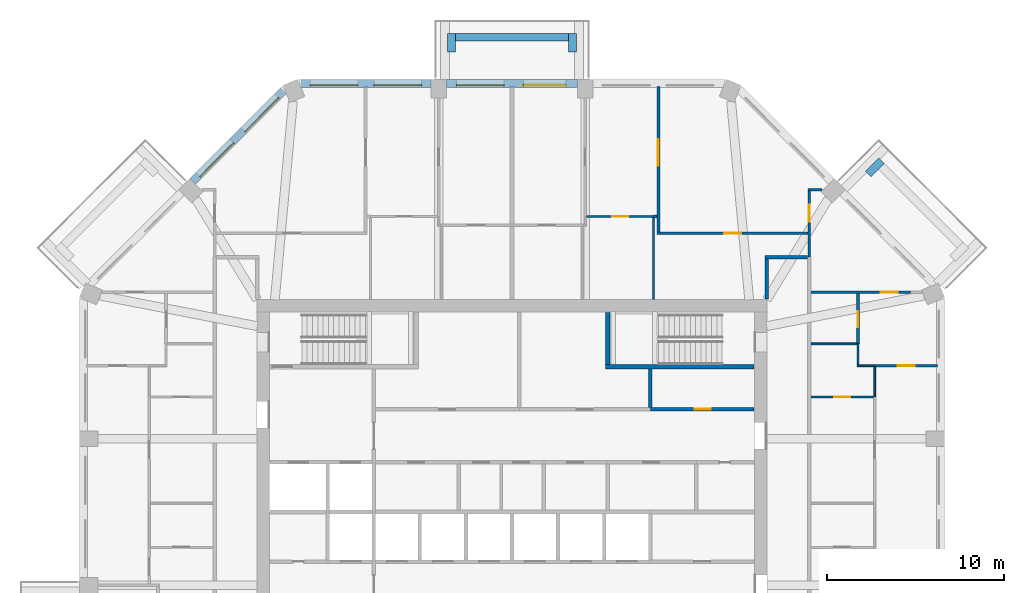
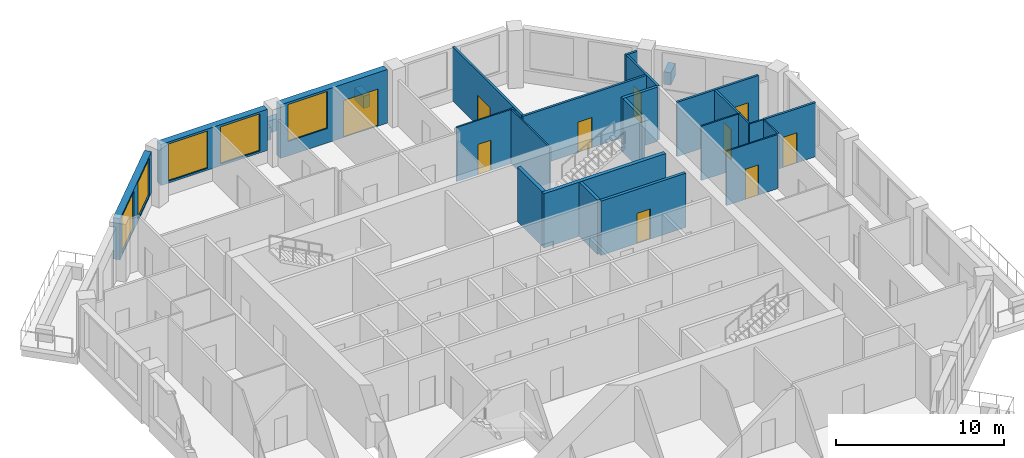
# One storey, part 8 of 10: 28 walls, 10 doors, 5 windows, 15 openings.
"""IFC4 building model written with IfcOpenShell, lengths in metres."""

from ifc_helpers import new_model, si_unit, direction, frame, frame_2d, origin, place, context, subcontext, project, spatial, rectangle, extrude, material, layer, layer_set, type_object, element, fill, save


model = new_model("IFC4")

# Units and contexts
model_context = context("Model", 3, precision=1e-05, world=origin(), true_north=direction((0.0, 1.0)))
body_context = subcontext(model_context, "Body", "Model", "MODEL_VIEW")
ifc_project = project(units=[si_unit("LENGTHUNIT", "METRE"), si_unit("AREAUNIT", "SQUARE_METRE"), si_unit("VOLUMEUNIT", "CUBIC_METRE"), si_unit("PLANEANGLEUNIT", "RADIAN"), si_unit("MASSUNIT", "GRAM", prefix="KILO")], contexts=[model_context])

# Site, building, storey
site_placement = place(None, origin())
site = spatial("IfcSite", under=ifc_project, at=site_placement, CompositionType="ELEMENT")
building_placement = place(site_placement, origin())
building = spatial("IfcBuilding", under=site, at=building_placement, Name="Msitu Wima Residences", CompositionType="ELEMENT")
storey_placement = place(building_placement, frame((0.0, 0.0, 191.699951171875)))
storey = spatial("IfcBuildingStorey", under=building, at=storey_placement, Name="L44", CompositionType="ELEMENT", Elevation=191.699951171875)

# Walls
ifc_material_1 = material(Name="Facing brick")
ifc_layer_1 = layer(ifc_material_1, 0.06494140625, Name="Facing brick")
ifc_material_2 = material(Name="Concrete C40/50", Category="concrete")
ifc_layer_2 = layer(ifc_material_2, 0.156005859375, Name="Concrete C40/50")
ifc_material_3 = material(Name="Waterproofing membrane")
ifc_layer_3 = layer(ifc_material_3, 0.00390625, Name="Waterproofing membrane")
ifc_material_4 = material(Name="Planting soil and planting")
ifc_layer_4 = layer(ifc_material_4, 0.22509765625, Name="Planting soil and planting")
ifc_layer_set_1 = layer_set([ifc_layer_1, ifc_layer_2, ifc_layer_3, ifc_layer_4], Name="Concrete C40/50")
wall_type_1 = type_object("IfcWallType", Name="Balcony planter PLANTER PL450", PredefinedType="USERDEFINED", material=ifc_layer_set_1)
wall_1_placement = place(storey_placement, frame((20.1328125, 19.107421875, 0.0), z_axis=(0.0, 0.0, 1.0), x_axis=(0.707106781187, 0.707106781187, 0.0)))
element("IfcWall", 1, at=wall_1_placement, inside=storey, type_object=wall_type_1, Name="Balcony planter NE0 L44", ObjectType="PLANTER", PredefinedType="USERDEFINED", context=body_context, shape_type="SweptSolid", body=[
    extrude(rectangle(XDim=1.050048828125, YDim=0.449951171875, at=frame_2d((0.52490234375, 0.0))), origin(), (0.0, 0.0, 1.0), 0.900146484375),
])
wall_2_placement = place(storey_placement, frame((3.187255859375, 26.824951171875, 0.0), z_axis=(0.0, 0.0, 1.0), x_axis=(-1.0, 0.0, 0.0)))
element("IfcWall", 2, at=wall_2_placement, inside=storey, type_object=wall_type_1, Name="Balcony planter N1 L44", ObjectType="PLANTER", PredefinedType="USERDEFINED", context=body_context, shape_type="SweptSolid", body=[
    extrude(rectangle(XDim=6.37451171875, YDim=0.449951171875, at=frame_2d((3.187255859375, 0.0))), origin(), (0.0, 0.0, 1.0), 0.900146484375),
])
for number, where, z_axis, x_axis, name in (
    (3, (3.412353515625, 26.0, 0.0), (0.0, 0.0, 1.0), (0.0, 1.0, 0.0), "Balcony planter N1 L44"),
    (4, (-3.412353515625, 26.0, 0.0), (0.0, 0.0, 1.0), (0.0, 1.0, 0.0), "Balcony planter N1 L44"),
):
    element("IfcWall", number, at=place(storey_placement, frame(where, z_axis=z_axis, x_axis=x_axis)), inside=storey, type_object=wall_type_1, Name=name, ObjectType="PLANTER", PredefinedType="USERDEFINED", context=body_context, shape_type="SweptSolid", body=[
        extrude(rectangle(XDim=1.050048828125, YDim=0.449951171875, at=frame_2d((0.52490234375, 0.0))), origin(), (0.0, 0.0, 1.0), 0.900146484375),
    ])

# Wall, openings, door, window
ifc_material_5 = material(Name="Brick (red buff mix)", Category="masonry")
ifc_layer_5 = layer(ifc_material_5, 0.449951171875)
ifc_layer_set_2 = layer_set([ifc_layer_5], Name="Brick (red buff mix)")
wall_type_2 = type_object("IfcWallType", Name="Brick infill wall BW450", PredefinedType="SOLIDWALL", material=ifc_layer_set_2)
wall_3_placement = place(storey_placement, frame((3.687255859375, 24.22509765625, 0.0), z_axis=(0.0, 0.0, 1.0), x_axis=(-1.0, 0.0, 0.0)))
wall_3 = element("IfcWall", 5, at=wall_3_placement, inside=storey, type_object=wall_type_2, Name="Brick infill wall L44 N1", PredefinedType="SOLIDWALL", context=body_context, shape_type="SweptSolid", body=[
    extrude(rectangle(XDim=7.37451171875, YDim=0.449951171875, at=frame_2d((3.687255859375, 0.0))), origin(), (0.0, 0.0, 1.0), 3.900146484375),
])
opening_1_placement = place(wall_3_placement, frame((0.6435546875, 0.0, 0.0)))
opening_1 = element("IfcOpeningElement", 6, at=opening_1_placement, cuts=wall_3, Name="Opening D43-45.002", PredefinedType="OPENING", context=body_context, shape_type="SweptSolid", body=[
    extrude(rectangle(XDim=2.39990234375, YDim=2.699951171875, at=frame_2d((1.199951171875, 1.35009765625))), frame((0.0, 0.23486328125, 0.0), z_axis=(0.0, -1.0, 0.0), x_axis=(1.0, 0.0, 0.0)), (0.0, 0.0, 1.0), 0.469970703125),
])
opening_2_placement = place(wall_3_placement, frame((4.13720703125, 0.0, 1.050048828125)))
opening_2 = element("IfcOpeningElement", 7, at=opening_2_placement, cuts=wall_3, Name="Opening W43-45.008", PredefinedType="OPENING", context=body_context, shape_type="SweptSolid", body=[
    extrude(rectangle(XDim=2.699951171875, YDim=2.699951171875, at=frame_2d((1.35009765625, 1.35009765625))), frame((0.0, 0.23486328125, 0.0), z_axis=(0.0, -1.0, 0.0), x_axis=(1.0, 0.0, 0.0)), (0.0, 0.0, 1.0), 0.469970703125),
])
ifc_material_6 = material(Name="Anodised aluminium, bronze finish, clear low-emissivity double glazing", Category="aluminium")
door_type_1 = type_object("IfcDoorType", Name="Balcony door D2400x2700", OperationType="SLIDING_TO_LEFT", PredefinedType="DOOR", material=ifc_material_6)
door_1_placement = place(opening_1_placement, origin())
door_1 = element("IfcDoor", 8, at=door_1_placement, inside=storey, type_object=door_type_1, Name="Balcony door L44 N1", OperationType="SINGLE_SWING_LEFT", OverallHeight=2.699951171875, OverallWidth=2.39990234375, PredefinedType="DOOR", context=body_context, shape_type="SweptSolid", body=[
    extrude(rectangle(XDim=2.39990234375, YDim=2.699951171875, at=frame_2d((1.199951171875, 1.35009765625))), frame((0.0, 0.1298828125, 0.0), z_axis=(0.0, -1.0, 0.0), x_axis=(1.0, 0.0, 0.0)), (0.0, 0.0, 1.0), 0.050048828125),
])
fill(opening_1, door_1)
window_type = type_object("IfcWindowType", Name="Window W2700x2700", PartitioningType="DOUBLE_PANEL_VERTICAL", PredefinedType="WINDOW", material=ifc_material_6)
window_1_placement = place(opening_2_placement, origin())
window_1 = element("IfcWindow", 9, at=window_1_placement, inside=storey, type_object=window_type, Name="Window L44 N1.2", OverallHeight=2.699951171875, OverallWidth=2.699951171875, PartitioningType="SINGLE_PANEL", PredefinedType="WINDOW", context=body_context, shape_type="SweptSolid", body=[
    extrude(rectangle(XDim=2.699951171875, YDim=2.699951171875, at=frame_2d((1.35009765625, 1.35009765625))), frame((0.0, 0.135009765625, 0.0), z_axis=(0.0, -1.0, 0.0), x_axis=(1.0, 0.0, 0.0)), (0.0, 0.0, 1.0), 0.06005859375),
])
fill(opening_2, window_1)

# Wall, openings, windows
wall_4_placement = place(storey_placement, frame((-4.587158203125, 24.22509765625, 0.900146484375), z_axis=(0.0, 0.0, 1.0), x_axis=(-1.0, 0.0, 0.0)))
wall_4 = element("IfcWall", 10, at=wall_4_placement, inside=storey, type_object=wall_type_2, Name="Brick infill wall L44 N2", PredefinedType="SOLIDWALL", context=body_context, shape_type="SweptSolid", body=[
    extrude(rectangle(XDim=7.337646484375, YDim=0.449951171875, at=frame_2d((3.6689453125, 0.0))), origin(), (0.0, 0.0, 1.0), 3.0),
])
opening_3_placement = place(wall_4_placement, frame((0.518798828125, 0.0, 0.14990234375)))
opening_3 = element("IfcOpeningElement", 11, at=opening_3_placement, cuts=wall_4, Name="Opening W43-45.009", PredefinedType="OPENING", context=body_context, shape_type="SweptSolid", body=[
    extrude(rectangle(XDim=2.699951171875, YDim=2.699951171875, at=frame_2d((1.35009765625, 1.35009765625))), frame((0.0, 0.23486328125, 0.0), z_axis=(0.0, -1.0, 0.0), x_axis=(1.0, 0.0, 0.0)), (0.0, 0.0, 1.0), 0.469970703125),
])
opening_4_placement = place(wall_4_placement, frame((4.11865234375, 0.0, 0.14990234375)))
opening_4 = element("IfcOpeningElement", 12, at=opening_4_placement, cuts=wall_4, Name="Opening W43-45.010", PredefinedType="OPENING", context=body_context, shape_type="SweptSolid", body=[
    extrude(rectangle(XDim=2.699951171875, YDim=2.699951171875, at=frame_2d((1.35009765625, 1.35009765625))), frame((0.0, 0.23486328125, 0.0), z_axis=(0.0, -1.0, 0.0), x_axis=(1.0, 0.0, 0.0)), (0.0, 0.0, 1.0), 0.469970703125),
])
window_2_placement = place(opening_3_placement, origin())
window_2 = element("IfcWindow", 13, at=window_2_placement, inside=storey, type_object=window_type, Name="Window L44 N2.1", OverallHeight=2.699951171875, OverallWidth=2.699951171875, PartitioningType="SINGLE_PANEL", PredefinedType="WINDOW", context=body_context, shape_type="SweptSolid", body=[
    extrude(rectangle(XDim=2.699951171875, YDim=2.699951171875, at=frame_2d((1.35009765625, 1.35009765625))), frame((0.0, 0.135009765625, 0.0), z_axis=(0.0, -1.0, 0.0), x_axis=(1.0, 0.0, 0.0)), (0.0, 0.0, 1.0), 0.06005859375),
])
fill(opening_3, window_2)
window_3_placement = place(opening_4_placement, origin())
window_3 = element("IfcWindow", 14, at=window_3_placement, inside=storey, type_object=window_type, Name="Window L44 N2.2", OverallHeight=2.699951171875, OverallWidth=2.699951171875, PartitioningType="SINGLE_PANEL", PredefinedType="WINDOW", context=body_context, shape_type="SweptSolid", body=[
    extrude(rectangle(XDim=2.699951171875, YDim=2.699951171875, at=frame_2d((1.35009765625, 1.35009765625))), frame((0.0, 0.135009765625, 0.0), z_axis=(0.0, -1.0, 0.0), x_axis=(1.0, 0.0, 0.0)), (0.0, 0.0, 1.0), 0.06005859375),
])
fill(opening_4, window_3)

wall_5_placement = place(storey_placement, frame((-12.915283203125, 23.814697265625, 0.900146484375), z_axis=(0.0, 0.0, 1.0), x_axis=(-0.707106781187, -0.707106781187, 0.0)))
wall_5 = element("IfcWall", 15, at=wall_5_placement, inside=storey, type_object=wall_type_2, Name="Brick infill wall L44 NW0", PredefinedType="SOLIDWALL", context=body_context, shape_type="SweptSolid", body=[
    extrude(rectangle(XDim=7.257080078125, YDim=0.449951171875, at=frame_2d((3.62841796875, 0.0))), origin(), (0.0, 0.0, 1.0), 3.0),
])
opening_5_placement = place(wall_5_placement, frame((0.478515625, 0.0, 0.14990234375)))
opening_5 = element("IfcOpeningElement", 16, at=opening_5_placement, cuts=wall_5, Name="Opening W43-45.014", PredefinedType="OPENING", context=body_context, shape_type="SweptSolid", body=[
    extrude(rectangle(XDim=2.699951171875, YDim=2.699951171875, at=frame_2d((1.35009765625, 1.35009765625))), frame((0.0, 0.23486328125, 0.0), z_axis=(0.0, -1.0, 0.0), x_axis=(1.0, 0.0, 0.0)), (0.0, 0.0, 1.0), 0.469970703125),
])
opening_6_placement = place(wall_5_placement, frame((4.07861328125, 0.0, 0.14990234375)))
opening_6 = element("IfcOpeningElement", 17, at=opening_6_placement, cuts=wall_5, Name="Opening W43-45.015", PredefinedType="OPENING", context=body_context, shape_type="SweptSolid", body=[
    extrude(rectangle(XDim=2.699951171875, YDim=2.699951171875, at=frame_2d((1.35009765625, 1.35009765625))), frame((0.0, 0.23486328125, 0.0), z_axis=(0.0, -1.0, 0.0), x_axis=(1.0, 0.0, 0.0)), (0.0, 0.0, 1.0), 0.469970703125),
])
window_4_placement = place(opening_5_placement, origin())
window_4 = element("IfcWindow", 18, at=window_4_placement, inside=storey, type_object=window_type, Name="Window L44 NW0.1", OverallHeight=2.699951171875, OverallWidth=2.699951171875, PartitioningType="SINGLE_PANEL", PredefinedType="WINDOW", context=body_context, shape_type="SweptSolid", body=[
    extrude(rectangle(XDim=2.699951171875, YDim=2.699951171875, at=frame_2d((1.35009765625, 1.35009765625))), frame((0.0, 0.135009765625, 0.0), z_axis=(0.0, -1.0, 0.0), x_axis=(1.0, 0.0, 0.0)), (0.0, 0.0, 1.0), 0.06005859375),
])
fill(opening_5, window_4)
window_5_placement = place(opening_6_placement, origin())
window_5 = element("IfcWindow", 19, at=window_5_placement, inside=storey, type_object=window_type, Name="Window L44 NW0.2", OverallHeight=2.699951171875, OverallWidth=2.699951171875, PartitioningType="SINGLE_PANEL", PredefinedType="WINDOW", context=body_context, shape_type="SweptSolid", body=[
    extrude(rectangle(XDim=2.699951171875, YDim=2.699951171875, at=frame_2d((1.35009765625, 1.35009765625))), frame((0.0, 0.135009765625, 0.0), z_axis=(0.0, -1.0, 0.0), x_axis=(1.0, 0.0, 0.0)), (0.0, 0.0, 1.0), 0.06005859375),
])
fill(opening_6, window_5)

# Wall, opening, door
ifc_material_7 = material(Name="Plaster")
ifc_layer_6 = layer(ifc_material_7, 0.011962890625, Name="Plaster")
ifc_material_8 = material(Name="Concrete blockwork", Category="masonry")
ifc_layer_7 = layer(ifc_material_8, 0.176025390625, Name="Concrete blockwork")
ifc_layer_8 = layer(ifc_material_7, 0.011962890625, Name="Plaster")
ifc_layer_set_3 = layer_set([ifc_layer_6, ifc_layer_7, ifc_layer_8], Name="Concrete blockwork")
wall_type_3 = type_object("IfcWallType", Name="Corridor wall FW200", PredefinedType="PARTITIONING", material=ifc_layer_set_3)
wall_6_placement = place(storey_placement, frame((7.820068359375, 5.800048828125, 0.0), z_axis=(0.0, 0.0, 1.0), x_axis=(1.0, 0.0, 0.0)))
wall_6 = element("IfcWall", 20, at=wall_6_placement, inside=storey, type_object=wall_type_3, Name="Corridor wall", PredefinedType="PARTITIONING", context=body_context, shape_type="SweptSolid", body=[
    extrude(rectangle(XDim=5.849853515625, YDim=0.199951171875, at=frame_2d((2.9248046875, 0.0))), origin(), (0.0, 0.0, 1.0), 3.949951171875),
])
opening_7_placement = place(wall_6_placement, frame((2.5, 0.0, 0.0)))
opening_7 = element("IfcOpeningElement", 21, at=opening_7_placement, cuts=wall_6, Name="Opening D43-45.057", PredefinedType="OPENING", context=body_context, shape_type="SweptSolid", body=[
    extrude(rectangle(XDim=0.89990234375, YDim=2.199951171875, at=frame_2d((0.449951171875, 1.10009765625))), frame((0.0, 0.10986328125, 0.0), z_axis=(0.0, -1.0, 0.0), x_axis=(1.0, 0.0, 0.0)), (0.0, 0.0, 1.0), 0.219970703125),
])
ifc_material_9 = material(Name="Timber flush door", Category="wood")
door_type_2 = type_object("IfcDoorType", Name="Service door D05 900x2200", OperationType="SINGLE_SWING_LEFT", PredefinedType="DOOR", material=ifc_material_9)
door_2_placement = place(opening_7_placement, origin())
door_2 = element("IfcDoor", 22, at=door_2_placement, inside=storey, type_object=door_type_2, Name="Service door", OperationType="SINGLE_SWING_LEFT", OverallHeight=2.199951171875, OverallWidth=0.89990234375, PredefinedType="DOOR", context=body_context, shape_type="SweptSolid", body=[
    extrude(rectangle(XDim=0.89990234375, YDim=2.199951171875, at=frame_2d((0.449951171875, 1.10009765625))), frame((0.0, 0.02490234375, 0.0), z_axis=(0.0, -1.0, 0.0), x_axis=(1.0, 0.0, 0.0)), (0.0, 0.0, 1.0), 0.050048828125),
])
fill(opening_7, door_2)

# Walls
wall_7_placement = place(storey_placement, frame((14.39990234375, 12.030029296875, 0.0), z_axis=(0.0, 0.0, 1.0), x_axis=(0.0, 1.0, 0.0)))
element("IfcWall", 23, at=wall_7_placement, inside=storey, type_object=wall_type_3, Name="Corridor wall", PredefinedType="PARTITIONING", context=body_context, shape_type="SweptSolid", body=[
    extrude(rectangle(XDim=2.27001953125, YDim=0.199951171875, at=frame_2d((1.135009765625, 0.0))), origin(), (0.0, 0.0, 1.0), 3.949951171875),
])
wall_8_placement = place(storey_placement, frame((14.300048828125, 14.39990234375, 0.0), z_axis=(0.0, 0.0, 1.0), x_axis=(1.0, 0.0, 0.0)))
element("IfcWall", 24, at=wall_8_placement, inside=storey, type_object=wall_type_3, Name="Corridor wall", PredefinedType="PARTITIONING", context=body_context, shape_type="SweptSolid", body=[
    extrude(rectangle(XDim=2.39990234375, YDim=0.199951171875, at=frame_2d((1.199951171875, 0.0))), origin(), (0.0, 0.0, 1.0), 3.949951171875),
])
ifc_layer_9 = layer(ifc_material_7, 0.011962890625, Name="Plaster")
ifc_layer_10 = layer(ifc_material_8, 0.1259765625, Name="Concrete blockwork")
ifc_layer_11 = layer(ifc_material_7, 0.011962890625, Name="Plaster")
ifc_layer_set_4 = layer_set([ifc_layer_9, ifc_layer_10, ifc_layer_11], Name="Concrete blockwork")
wall_type_4 = type_object("IfcWallType", Name="Partition PW150", PredefinedType="PARTITIONING", material=ifc_layer_set_4)
wall_9_placement = place(storey_placement, frame((8.0, 16.699951171875, 0.0), z_axis=(0.0, 0.0, 1.0), x_axis=(1.0, 0.0, 0.0)))
element("IfcWall", 25, at=wall_9_placement, inside=storey, type_object=wall_type_4, Name="Partition", PredefinedType="PARTITIONING", context=body_context, shape_type="SweptSolid", body=[
    extrude(rectangle(XDim=0.199462890625, YDim=0.14990234375, at=frame_2d((0.099609375, 0.0))), origin(), (0.0, 0.0, 1.0), 3.949951171875),
])

# Wall, opening, door
wall_10_placement = place(storey_placement, frame((8.2744140625, 15.824951171875, 0.0), z_axis=(0.0, 0.0, 1.0), x_axis=(0.0, 1.0, 0.0)))
wall_10 = element("IfcWall", 26, at=wall_10_placement, inside=storey, type_object=wall_type_4, Name="Partition", PredefinedType="PARTITIONING", context=body_context, shape_type="SweptSolid", body=[
    extrude(rectangle(XDim=8.22998046875, YDim=0.14990234375, at=frame_2d((4.114990234375, 0.0))), origin(), (0.0, 0.0, 1.0), 3.949951171875),
])
opening_8_placement = place(wall_10_placement, frame((3.75, 0.0, 0.0)))
opening_8 = element("IfcOpeningElement", 27, at=opening_8_placement, cuts=wall_10, Name="Opening D43-45.015", PredefinedType="OPENING", context=body_context, shape_type="SweptSolid", body=[
    extrude(rectangle(XDim=1.5, YDim=2.199951171875, at=frame_2d((0.75, 1.10009765625))), frame((0.0, 0.0849609375, 0.0), z_axis=(0.0, -1.0, 0.0), x_axis=(1.0, 0.0, 0.0)), (0.0, 0.0, 1.0), 0.169921875),
])
ifc_material_10 = material(Name="Timber double door", Category="wood")
door_type_3 = type_object("IfcDoorType", Name="Double door D04 1500x2200", OperationType="DOUBLE_DOOR_SINGLE_SWING", PredefinedType="DOOR", material=ifc_material_10)
door_3_placement = place(opening_8_placement, origin())
door_3 = element("IfcDoor", 28, at=door_3_placement, inside=storey, type_object=door_type_3, Name="Double door", OperationType="DOUBLE_DOOR_SINGLE_SWING", OverallHeight=2.199951171875, OverallWidth=1.5, PredefinedType="DOOR", context=body_context, shape_type="SweptSolid", body=[
    extrude(rectangle(XDim=1.5, YDim=2.199951171875, at=frame_2d((0.75, 1.10009765625))), frame((0.0, 0.02490234375, 0.0), z_axis=(0.0, -1.0, 0.0), x_axis=(1.0, 0.0, 0.0)), (0.0, 0.0, 1.0), 0.050048828125),
])
fill(opening_8, door_3)

wall_11_placement = place(storey_placement, frame((8.199462890625, 15.75, 0.0), z_axis=(0.0, 0.0, 1.0), x_axis=(1.0, 0.0, 0.0)))
wall_11 = element("IfcWall", 29, at=wall_11_placement, inside=storey, type_object=wall_type_4, Name="Partition", PredefinedType="PARTITIONING", context=body_context, shape_type="SweptSolid", body=[
    extrude(rectangle(XDim=8.525634765625, YDim=0.14990234375, at=frame_2d((4.2626953125, 0.0))), origin(), (0.0, 0.0, 1.0), 3.949951171875),
])
opening_9_placement = place(wall_11_placement, frame((3.800048828125, 0.0, 0.0)))
opening_9 = element("IfcOpeningElement", 30, at=opening_9_placement, cuts=wall_11, Name="Opening D43-45.014", PredefinedType="OPENING", context=body_context, shape_type="SweptSolid", body=[
    extrude(rectangle(XDim=0.949951171875, YDim=2.199951171875, at=frame_2d((0.47509765625, 1.10009765625))), frame((0.0, 0.0849609375, 0.0), z_axis=(0.0, -1.0, 0.0), x_axis=(1.0, 0.0, 0.0)), (0.0, 0.0, 1.0), 0.169921875),
])
door_type_4 = type_object("IfcDoorType", Name="Room door D12 950x2200", OperationType="SINGLE_SWING_LEFT", PredefinedType="DOOR", material=ifc_material_9)
door_4_placement = place(opening_9_placement, origin())
door_4 = element("IfcDoor", 31, at=door_4_placement, inside=storey, type_object=door_type_4, Name="Room door", OperationType="SINGLE_SWING_RIGHT", OverallHeight=2.199951171875, OverallWidth=0.949951171875, PredefinedType="DOOR", context=body_context, shape_type="SweptSolid", body=[
    extrude(rectangle(XDim=0.949951171875, YDim=2.199951171875, at=frame_2d((0.47509765625, 1.10009765625))), frame((0.0, 0.02490234375, 0.0), z_axis=(0.0, -1.0, 0.0), x_axis=(1.0, 0.0, 0.0)), (0.0, 0.0, 1.0), 0.050048828125),
])
fill(opening_9, door_4)

wall_12_placement = place(storey_placement, frame((16.89990234375, 12.409912109375, 0.0), z_axis=(0.0, 0.0, 1.0), x_axis=(1.0, 0.0, 0.0)))
wall_12 = element("IfcWall", 32, at=wall_12_placement, inside=storey, type_object=wall_type_4, Name="Partition", PredefinedType="PARTITIONING", context=body_context, shape_type="SweptSolid", body=[
    extrude(rectangle(XDim=5.62939453125, YDim=0.14990234375, at=frame_2d((2.814697265625, 0.0))), origin(), (0.0, 0.0, 1.0), 3.949951171875),
])
opening_10_placement = place(wall_12_placement, frame((3.949951171875, 0.0, 0.0)))
opening_10 = element("IfcOpeningElement", 33, at=opening_10_placement, cuts=wall_12, Name="Opening D43-45.025", PredefinedType="OPENING", context=body_context, shape_type="SweptSolid", body=[
    extrude(rectangle(XDim=0.949951171875, YDim=2.199951171875, at=frame_2d((0.47509765625, 1.10009765625))), frame((0.0, 0.0849609375, 0.0), z_axis=(0.0, -1.0, 0.0), x_axis=(1.0, 0.0, 0.0)), (0.0, 0.0, 1.0), 0.169921875),
])
door_5_placement = place(opening_10_placement, origin())
door_5 = element("IfcDoor", 34, at=door_5_placement, inside=storey, type_object=door_type_4, Name="Room door", OperationType="SINGLE_SWING_RIGHT", OverallHeight=2.199951171875, OverallWidth=0.949951171875, PredefinedType="DOOR", context=body_context, shape_type="SweptSolid", body=[
    extrude(rectangle(XDim=0.949951171875, YDim=2.199951171875, at=frame_2d((0.47509765625, 1.10009765625))), frame((0.0, 0.02490234375, 0.0), z_axis=(0.0, -1.0, 0.0), x_axis=(1.0, 0.0, 0.0)), (0.0, 0.0, 1.0), 0.050048828125),
])
fill(opening_10, door_5)

wall_13_placement = place(storey_placement, frame((16.800048828125, 14.39990234375, 0.0), z_axis=(0.0, 0.0, 1.0), x_axis=(0.0, 1.0, 0.0)))
wall_13 = element("IfcWall", 35, at=wall_13_placement, inside=storey, type_object=wall_type_4, Name="Partition", PredefinedType="PARTITIONING", context=body_context, shape_type="SweptSolid", body=[
    extrude(rectangle(XDim=3.73095703125, YDim=0.14990234375, at=frame_2d((1.865478515625, 0.0))), origin(), (0.0, 0.0, 1.0), 3.949951171875),
])
opening_11_placement = place(wall_13_placement, frame((2.0, 0.0, 0.0)))
opening_11 = element("IfcOpeningElement", 36, at=opening_11_placement, cuts=wall_13, Name="Opening D43-45.028", PredefinedType="OPENING", context=body_context, shape_type="SweptSolid", body=[
    extrude(rectangle(XDim=0.949951171875, YDim=2.199951171875, at=frame_2d((0.47509765625, 1.10009765625))), frame((0.0, 0.0849609375, 0.0), z_axis=(0.0, -1.0, 0.0), x_axis=(1.0, 0.0, 0.0)), (0.0, 0.0, 1.0), 0.169921875),
])
door_6_placement = place(opening_11_placement, origin())
door_6 = element("IfcDoor", 37, at=door_6_placement, inside=storey, type_object=door_type_4, Name="Room door", OperationType="SINGLE_SWING_LEFT", OverallHeight=2.199951171875, OverallWidth=0.949951171875, PredefinedType="DOOR", context=body_context, shape_type="SweptSolid", body=[
    extrude(rectangle(XDim=0.949951171875, YDim=2.199951171875, at=frame_2d((0.47509765625, 1.10009765625))), frame((0.0, 0.02490234375, 0.0), z_axis=(0.0, -1.0, 0.0), x_axis=(1.0, 0.0, 0.0)), (0.0, 0.0, 1.0), 0.050048828125),
])
fill(opening_11, door_6)

# Wall
wall_14_placement = place(storey_placement, frame((16.72509765625, 18.205810546875, 0.0), z_axis=(0.0, 0.0, 1.0), x_axis=(1.0, 0.0, 0.0)))
element("IfcWall", 38, at=wall_14_placement, inside=storey, type_object=wall_type_4, Name="Partition", PredefinedType="PARTITIONING", context=body_context, shape_type="SweptSolid", body=[
    extrude(rectangle(XDim=0.784423828125, YDim=0.14990234375, at=frame_2d((0.39208984375, 0.0))), origin(), (0.0, 0.0, 1.0), 3.949951171875),
])

# Wall, opening, door
wall_15_placement = place(storey_placement, frame((19.550048828125, 9.5, 0.0), z_axis=(0.0, 0.0, 1.0), x_axis=(0.0, 1.0, 0.0)))
wall_15 = element("IfcWall", 39, at=wall_15_placement, inside=storey, type_object=wall_type_4, Name="Partition", PredefinedType="PARTITIONING", context=body_context, shape_type="SweptSolid", body=[
    extrude(rectangle(XDim=2.8349609375, YDim=0.14990234375, at=frame_2d((1.41748046875, 0.0))), origin(), (0.0, 0.0, 1.0), 3.949951171875),
])
opening_12_placement = place(wall_15_placement, frame((0.949951171875, 0.0, 0.0)))
opening_12 = element("IfcOpeningElement", 40, at=opening_12_placement, cuts=wall_15, Name="Opening D43-45.012", PredefinedType="OPENING", context=body_context, shape_type="SweptSolid", body=[
    extrude(rectangle(XDim=0.89990234375, YDim=2.199951171875, at=frame_2d((0.449951171875, 1.10009765625))), frame((0.0, 0.0849609375, 0.0), z_axis=(0.0, -1.0, 0.0), x_axis=(1.0, 0.0, 0.0)), (0.0, 0.0, 1.0), 0.169921875),
])
door_7_placement = place(opening_12_placement, origin())
door_7 = element("IfcDoor", 41, at=door_7_placement, inside=storey, type_object=door_type_2, Name="Service door", OperationType="SINGLE_SWING_LEFT", OverallHeight=2.199951171875, OverallWidth=0.89990234375, PredefinedType="DOOR", context=body_context, shape_type="SweptSolid", body=[
    extrude(rectangle(XDim=0.89990234375, YDim=2.199951171875, at=frame_2d((0.449951171875, 1.10009765625))), frame((0.0, 0.02490234375, 0.0), z_axis=(0.0, -1.0, 0.0), x_axis=(1.0, 0.0, 0.0)), (0.0, 0.0, 1.0), 0.050048828125),
])
fill(opening_12, door_7)

wall_16_placement = place(storey_placement, frame((20.5, 8.27001953125, 0.0), z_axis=(0.0, 0.0, 1.0), x_axis=(1.0, 0.0, 0.0)))
wall_16 = element("IfcWall", 42, at=wall_16_placement, inside=storey, type_object=wall_type_4, Name="Partition", PredefinedType="PARTITIONING", context=body_context, shape_type="SweptSolid", body=[
    extrude(rectangle(XDim=3.554931640625, YDim=0.14990234375, at=frame_2d((1.77734375, 0.0))), origin(), (0.0, 0.0, 1.0), 3.949951171875),
])
opening_13_placement = place(wall_16_placement, frame((1.300048828125, 0.0, 0.0)))
opening_13 = element("IfcOpeningElement", 43, at=opening_13_placement, cuts=wall_16, Name="Opening D43-45.024", PredefinedType="OPENING", context=body_context, shape_type="SweptSolid", body=[
    extrude(rectangle(XDim=0.949951171875, YDim=2.199951171875, at=frame_2d((0.47509765625, 1.10009765625))), frame((0.0, 0.0849609375, 0.0), z_axis=(0.0, -1.0, 0.0), x_axis=(1.0, 0.0, 0.0)), (0.0, 0.0, 1.0), 0.169921875),
])
door_8_placement = place(opening_13_placement, origin())
door_8 = element("IfcDoor", 44, at=door_8_placement, inside=storey, type_object=door_type_4, Name="Room door", OperationType="SINGLE_SWING_RIGHT", OverallHeight=2.199951171875, OverallWidth=0.949951171875, PredefinedType="DOOR", context=body_context, shape_type="SweptSolid", body=[
    extrude(rectangle(XDim=0.949951171875, YDim=2.199951171875, at=frame_2d((0.47509765625, 1.10009765625))), frame((0.0, 0.02490234375, 0.0), z_axis=(0.0, -1.0, 0.0), x_axis=(1.0, 0.0, 0.0)), (0.0, 0.0, 1.0), 0.050048828125),
])
fill(opening_13, door_8)

# Walls
ifc_layer_12 = layer(ifc_material_7, 0.011962890625, Name="Plaster")
ifc_material_11 = material(Name="Reinforced concrete blockwork", Category="masonry")
ifc_layer_13 = layer(ifc_material_11, 0.176025390625, Name="Reinforced concrete blockwork")
ifc_layer_14 = layer(ifc_material_7, 0.011962890625, Name="Plaster")
ifc_layer_set_5 = layer_set([ifc_layer_12, ifc_layer_13, ifc_layer_14], Name="Reinforced concrete blockwork")
wall_type_5 = type_object("IfcWallType", Name="Plant and riser wall PL200", PredefinedType="PARTITIONING", material=ifc_layer_set_5)
wall_17_placement = place(storey_placement, frame((7.800048828125, 5.89990234375, 0.0), z_axis=(0.0, 0.0, 1.0), x_axis=(0.0, 1.0, 0.0)))
element("IfcWall", 45, at=wall_17_placement, inside=storey, type_object=wall_type_5, Name="Plant and riser wall", PredefinedType="PARTITIONING", context=body_context, shape_type="SweptSolid", body=[
    extrude(rectangle(XDim=2.175048828125, YDim=0.199951171875, at=frame_2d((1.08740234375, 0.0))), origin(), (0.0, 0.0, 1.0), 3.949951171875),
])
ifc_material_12 = material(Name="Concrete C50/60", Category="concrete")
ifc_layer_15 = layer(ifc_material_12, 0.25)
ifc_layer_set_6 = layer_set([ifc_layer_15], Name="Concrete C50/60")
wall_type_6 = type_object("IfcWallType", Name="Stair enclosure wall SW250", PredefinedType="SHEAR", material=ifc_layer_set_6)
wall_18_placement = place(storey_placement, frame((5.39990234375, 8.324951171875, 0.0), z_axis=(0.0, 0.0, 1.0), x_axis=(0.0, 1.0, 0.0)))
element("IfcWall", 46, at=wall_18_placement, inside=storey, type_object=wall_type_6, Name="Stair enclosure wall", PredefinedType="SHEAR", context=body_context, shape_type="SweptSolid", body=[
    extrude(rectangle(XDim=2.945068359375, YDim=0.25, at=frame_2d((1.47265625, 0.0))), origin(), (0.0, 0.0, 1.0), 3.949951171875),
])
wall_19_placement = place(storey_placement, frame((5.27490234375, 8.199951171875, 0.0), z_axis=(0.0, 0.0, 1.0), x_axis=(1.0, 0.0, 0.0)))
element("IfcWall", 47, at=wall_19_placement, inside=storey, type_object=wall_type_6, Name="Stair enclosure wall", PredefinedType="SHEAR", context=body_context, shape_type="SweptSolid", body=[
    extrude(rectangle(XDim=8.39501953125, YDim=0.25, at=frame_2d((4.197509765625, 0.0))), origin(), (0.0, 0.0, 1.0), 3.949951171875),
])

# Wall, opening, door
ifc_material_13 = material(Name="Ceramic tiles")
ifc_layer_16 = layer(ifc_material_13, 0.008056640625, Name="Ceramic tiles")
ifc_material_14 = material(Name="Moisture-resistant board")
ifc_layer_17 = layer(ifc_material_14, 0.012451171875, Name="Moisture-resistant board")
ifc_material_15 = material(Name="Light-gauge stud framing with mineral wool")
ifc_layer_18 = layer(ifc_material_15, 0.06689453125, Name="Light-gauge stud framing with mineral wool")
ifc_layer_19 = layer(ifc_material_14, 0.012451171875, Name="Moisture-resistant board")
ifc_layer_set_7 = layer_set([ifc_layer_16, ifc_layer_17, ifc_layer_18, ifc_layer_19], Name="Light-gauge stud framing with mineral wool")
wall_type_7 = type_object("IfcWallType", Name="Wet wall PW100", PredefinedType="PARTITIONING", material=ifc_layer_set_7)
wall_20_placement = place(storey_placement, frame((4.212158203125, 16.699951171875, 0.0), z_axis=(0.0, 0.0, 1.0), x_axis=(1.0, 0.0, 0.0)))
wall_20 = element("IfcWall", 48, at=wall_20_placement, inside=storey, type_object=wall_type_7, Name="Wet wall", PredefinedType="PARTITIONING", context=body_context, shape_type="SweptSolid", body=[
    extrude(rectangle(XDim=3.787841796875, YDim=0.10009765625, at=frame_2d((1.89404296875, 0.0))), origin(), (0.0, 0.0, 1.0), 3.949951171875),
])
opening_14_placement = place(wall_20_placement, frame((1.449951171875, 0.0, 0.0)))
opening_14 = element("IfcOpeningElement", 49, at=opening_14_placement, cuts=wall_20, Name="Opening D43-45.018", PredefinedType="OPENING", context=body_context, shape_type="SweptSolid", body=[
    extrude(rectangle(XDim=0.89990234375, YDim=2.199951171875, at=frame_2d((0.449951171875, 1.10009765625))), frame((0.0, 0.06005859375, 0.0), z_axis=(0.0, -1.0, 0.0), x_axis=(1.0, 0.0, 0.0)), (0.0, 0.0, 1.0), 0.1201171875),
])
ifc_material_16 = material(Name="Timber flush door, moisture resistant", Category="wood")
door_type_5 = type_object("IfcDoorType", Name="Bathroom door D03 900x2200", OperationType="SINGLE_SWING_LEFT", PredefinedType="DOOR", material=ifc_material_16)
door_9_placement = place(opening_14_placement, origin())
door_9 = element("IfcDoor", 50, at=door_9_placement, inside=storey, type_object=door_type_5, Name="Bathroom door", OperationType="SINGLE_SWING_LEFT", OverallHeight=2.199951171875, OverallWidth=0.89990234375, PredefinedType="DOOR", context=body_context, shape_type="SweptSolid", body=[
    extrude(rectangle(XDim=0.89990234375, YDim=2.199951171875, at=frame_2d((0.449951171875, 1.10009765625))), frame((0.0, 0.02490234375, 0.0), z_axis=(0.0, -1.0, 0.0), x_axis=(1.0, 0.0, 0.0)), (0.0, 0.0, 1.0), 0.050048828125),
])
fill(opening_14, door_9)

# Wall
wall_21_placement = place(storey_placement, frame((8.0, 12.030029296875, 0.0), z_axis=(0.0, 0.0, 1.0), x_axis=(0.0, 1.0, 0.0)))
element("IfcWall", 51, at=wall_21_placement, inside=storey, type_object=wall_type_7, Name="Wet wall", PredefinedType="PARTITIONING", context=body_context, shape_type="SweptSolid", body=[
    extrude(rectangle(XDim=4.594970703125, YDim=0.10009765625, at=frame_2d((2.29736328125, 0.0))), origin(), (0.0, 0.0, 1.0), 3.949951171875),
])

# Wall, opening, door
wall_22_placement = place(storey_placement, frame((16.89990234375, 6.5, 0.0), z_axis=(0.0, 0.0, 1.0), x_axis=(1.0, 0.0, 0.0)))
wall_22 = element("IfcWall", 52, at=wall_22_placement, inside=storey, type_object=wall_type_7, Name="Wet wall", PredefinedType="PARTITIONING", context=body_context, shape_type="SweptSolid", body=[
    extrude(rectangle(XDim=3.525146484375, YDim=0.10009765625, at=frame_2d((1.7626953125, 0.0))), origin(), (0.0, 0.0, 1.0), 3.949951171875),
])
opening_15_placement = place(wall_22_placement, frame((1.300048828125, 0.0, 0.0)))
opening_15 = element("IfcOpeningElement", 53, at=opening_15_placement, cuts=wall_22, Name="Opening D43-45.011", PredefinedType="OPENING", context=body_context, shape_type="SweptSolid", body=[
    extrude(rectangle(XDim=0.89990234375, YDim=2.199951171875, at=frame_2d((0.449951171875, 1.10009765625))), frame((0.0, 0.06005859375, 0.0), z_axis=(0.0, -1.0, 0.0), x_axis=(1.0, 0.0, 0.0)), (0.0, 0.0, 1.0), 0.1201171875),
])
door_10_placement = place(opening_15_placement, origin())
door_10 = element("IfcDoor", 54, at=door_10_placement, inside=storey, type_object=door_type_2, Name="Service door", OperationType="SINGLE_SWING_RIGHT", OverallHeight=2.199951171875, OverallWidth=0.89990234375, PredefinedType="DOOR", context=body_context, shape_type="SweptSolid", body=[
    extrude(rectangle(XDim=0.89990234375, YDim=2.199951171875, at=frame_2d((0.449951171875, 1.10009765625))), frame((0.0, 0.02490234375, 0.0), z_axis=(0.0, -1.0, 0.0), x_axis=(1.0, 0.0, 0.0)), (0.0, 0.0, 1.0), 0.050048828125),
])
fill(opening_15, door_10)

# Walls
wall_23_placement = place(storey_placement, frame((16.89990234375, 9.5, 0.0), z_axis=(0.0, 0.0, 1.0), x_axis=(1.0, 0.0, 0.0)))
element("IfcWall", 55, at=wall_23_placement, inside=storey, type_object=wall_type_7, Name="Wet wall", PredefinedType="PARTITIONING", context=body_context, shape_type="SweptSolid", body=[
    extrude(rectangle(XDim=2.5751953125, YDim=0.10009765625, at=frame_2d((1.28759765625, 0.0))), origin(), (0.0, 0.0, 1.0), 3.949951171875),
])
wall_24_placement = place(storey_placement, frame((19.550048828125, 8.320068359375, 0.0), z_axis=(0.0, 0.0, 1.0), x_axis=(0.0, 1.0, 0.0)))
element("IfcWall", 56, at=wall_24_placement, inside=storey, type_object=wall_type_7, Name="Wet wall", PredefinedType="PARTITIONING", context=body_context, shape_type="SweptSolid", body=[
    extrude(rectangle(XDim=1.179931640625, YDim=0.10009765625, at=frame_2d((0.58984375, 0.0))), origin(), (0.0, 0.0, 1.0), 3.949951171875),
])
wall_25_placement = place(storey_placement, frame((19.5, 8.27001953125, 0.0), z_axis=(0.0, 0.0, 1.0), x_axis=(1.0, 0.0, 0.0)))
element("IfcWall", 57, at=wall_25_placement, inside=storey, type_object=wall_type_7, Name="Wet wall", PredefinedType="PARTITIONING", context=body_context, shape_type="SweptSolid", body=[
    extrude(rectangle(XDim=1.0, YDim=0.10009765625, at=frame_2d((0.5, 0.0))), origin(), (0.0, 0.0, 1.0), 3.949951171875),
])
wall_26_placement = place(storey_placement, frame((20.5, 6.5, 0.0), z_axis=(0.0, 0.0, 1.0), x_axis=(0.0, 1.0, 0.0)))
element("IfcWall", 58, at=wall_26_placement, inside=storey, type_object=wall_type_7, Name="Wet wall", PredefinedType="PARTITIONING", context=body_context, shape_type="SweptSolid", body=[
    extrude(rectangle(XDim=1.695068359375, YDim=0.10009765625, at=frame_2d((0.84765625, 0.0))), origin(), (0.0, 0.0, 1.0), 3.949951171875),
])

save(model, "model.ifc")
